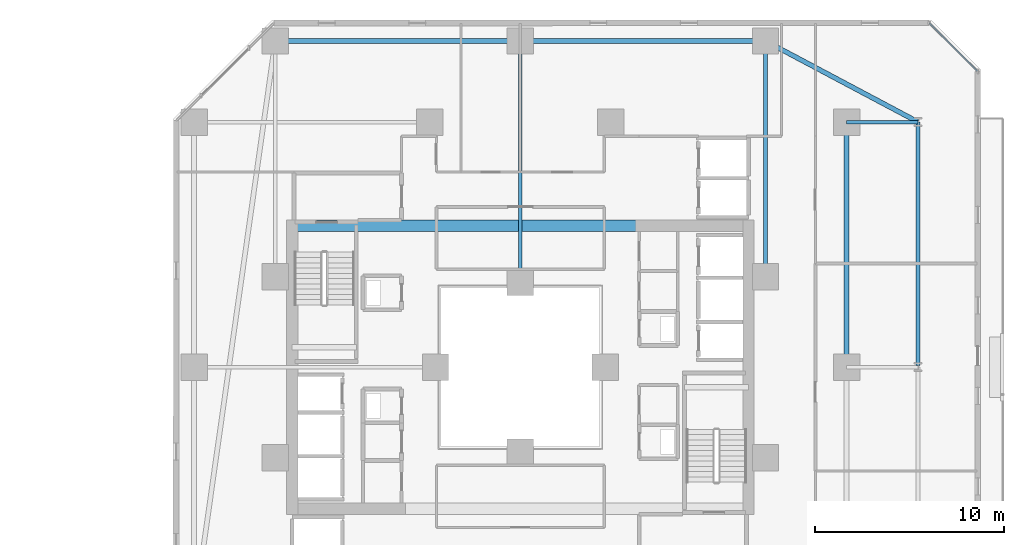
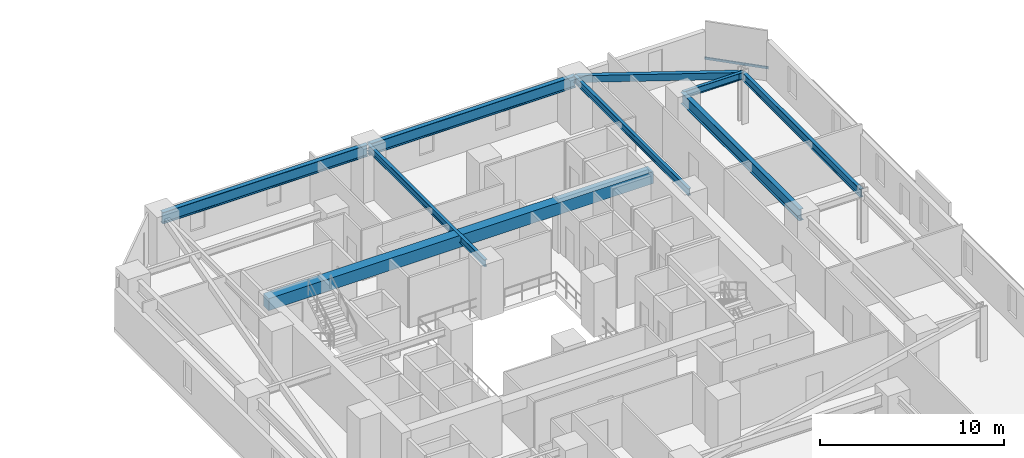
# One storey, part 15 of 33: 9 beams, 1 member, 1 element without a shape of its own.
"""IFC4 building model written with IfcOpenShell, lengths in metres."""

from ifc_helpers import new_model, si_unit, direction, frame, origin, origin_2d, place, context, subcontext, project, spatial, rectangle, hollow_rectangle, i_section, extrude, material, material_profile, profile_set, type_object, element, aggregate, save


model = new_model("IFC4")

# Units and contexts
model_context = context("Model", 3, precision=1e-05, world=origin(), true_north=direction((0.0, 1.0)))
body_context = subcontext(model_context, "Body", "Model", "MODEL_VIEW")
ifc_project = project(units=[si_unit("LENGTHUNIT", "METRE"), si_unit("AREAUNIT", "SQUARE_METRE"), si_unit("VOLUMEUNIT", "CUBIC_METRE"), si_unit("PLANEANGLEUNIT", "RADIAN"), si_unit("MASSUNIT", "GRAM", prefix="KILO")], contexts=[model_context])

# Site, building, storey
site_placement = place(None, origin())
site = spatial("IfcSite", under=ifc_project, at=site_placement, CompositionType="ELEMENT")
building_placement = place(site_placement, origin())
building = spatial("IfcBuilding", under=site, at=building_placement, Name="Thornwick Lancets Civic Towers", CompositionType="ELEMENT")
storey_placement = place(building_placement, frame((0.0, 0.0, 38.699951171875)))
storey = spatial("IfcBuildingStorey", under=building, at=storey_placement, Name="L09", CompositionType="ELEMENT", Elevation=38.699951171875)

# Beams
ifc_material_1 = material(Name="Concrete C60/75", Category="concrete")
ifc_material_profile_1 = material_profile(ifc_material_1, rectangle(XDim=0.60009765625, YDim=0.800048828125, at=origin_2d()), Name="RC 600x800")
ifc_profile_set_1 = profile_set([ifc_material_profile_1], Name="Concrete C60/75")
beam_type_1 = type_object("IfcBeamType", Name="BM_COUP_RC800", PredefinedType="BEAM", material=ifc_profile_set_1)
beam_1_placement = place(storey_placement, frame((76.39990234375, 34.5, 2.9599609375), z_axis=(1.0, 0.0, 0.0), x_axis=(0.0, 1.0, 0.0)))
element("IfcBeam", 1, at=beam_1_placement, inside=storey, type_object=beam_type_1, Name="CB-L09-B1", PredefinedType="BEAM", context=body_context, shape_type="SweptSolid", body=[
    extrude(rectangle(XDim=0.60009765625, YDim=0.800048828125, at=origin_2d()), origin(), (0.0, 0.0, 1.0), 24.2001953125),
])
ifc_material_2 = material(Name="Steel S355JR", Category="steel")
ifc_material_profile_2 = material_profile(ifc_material_2, i_section(OverallWidth=0.2119140625, OverallDepth=0.54443359375, WebThickness=0.0126953125, FlangeThickness=0.021240234375, FilletRadius=0.0126953125, at=origin_2d()), Name="UKB 533x210x122")
ifc_profile_set_2 = profile_set([ifc_material_profile_2], Name="Steel S355JR")
beam_type_2 = type_object("IfcBeamType", Name="BM_EDGE_533_122", PredefinedType="SPANDREL", material=ifc_profile_set_2)
beam_2_placement = place(storey_placement, frame((109.60009765625, 27.080078125, 3.087890625), z_axis=(0.0, 1.0, 0.0), x_axis=(-1.0, 0.0, 0.0)))
element("IfcBeam", 2, at=beam_2_placement, inside=storey, type_object=beam_type_2, Name="BM-EDGE-L09-B-S0-2", PredefinedType="SPANDREL", context=body_context, shape_type="SweptSolid", body=[
    extrude(i_section(OverallWidth=0.2119140625, OverallDepth=0.54443359375, WebThickness=0.0126953125, FlangeThickness=0.021240234375, FilletRadius=0.0126953125, at=origin_2d()), origin(), (0.0, 0.0, 1.0), 12.919921875),
])
ifc_material_profile_3 = material_profile(ifc_material_2, i_section(OverallWidth=0.26806640625, OverallDepth=0.769775390625, WebThickness=0.015625, FlangeThickness=0.025390625, FilletRadius=0.0166015625, at=origin_2d()), Name="UKB 762x267x197")
ifc_profile_set_3 = profile_set([ifc_material_profile_3], Name="Steel S355JR")
beam_type_3 = type_object("IfcBeamType", Name="BM_GIRD_762_197", PredefinedType="BEAM", material=ifc_profile_set_3)
beam_3_placement = place(storey_placement, frame((105.800048828125, 27.080078125, 2.97509765625), z_axis=(0.0, 1.0, 0.0), x_axis=(-1.0, 0.0, 0.0)))
element("IfcBeam", 3, at=beam_3_placement, inside=storey, type_object=beam_type_3, Name="BM-SPINE-L09-B-1-2", PredefinedType="BEAM", context=body_context, shape_type="SweptSolid", body=[
    extrude(i_section(OverallWidth=0.26806640625, OverallDepth=0.769775390625, WebThickness=0.015625, FlangeThickness=0.025390625, FilletRadius=0.0166015625, at=origin_2d()), origin(), (0.0, 0.0, 1.0), 12.919921875),
])
beam_4_placement = place(storey_placement, frame((101.5, 44.300048828125, 2.97509765625), z_axis=(-1.0, 0.0, 0.0), x_axis=(0.0, -1.0, 0.0)))
element("IfcBeam", 4, at=beam_4_placement, inside=storey, type_object=beam_type_3, Name="BM-SPINE-L09-B-3-4", PredefinedType="BEAM", context=body_context, shape_type="SweptSolid", body=[
    extrude(i_section(OverallWidth=0.26806640625, OverallDepth=0.769775390625, WebThickness=0.015625, FlangeThickness=0.025390625, FilletRadius=0.0166015625, at=origin_2d()), origin(), (0.0, 0.0, 1.0), 13.0),
])
beam_5_placement = place(storey_placement, frame((88.419921875, 44.300048828125, 2.97509765625), z_axis=(-1.0, 0.0, 0.0), x_axis=(0.0, -1.0, 0.0)))
element("IfcBeam", 5, at=beam_5_placement, inside=storey, type_object=beam_type_3, Name="BM-SPINE-L09-B-4-5", PredefinedType="BEAM", context=body_context, shape_type="SweptSolid", body=[
    extrude(i_section(OverallWidth=0.26806640625, OverallDepth=0.769775390625, WebThickness=0.015625, FlangeThickness=0.025390625, FilletRadius=0.0166015625, at=origin_2d()), origin(), (0.0, 0.0, 1.0), 12.919921875),
])
ifc_material_profile_4 = material_profile(ifc_material_2, i_section(OverallWidth=0.19189453125, OverallDepth=0.46337890625, WebThickness=0.010498046875, FlangeThickness=0.017578125, FilletRadius=0.01025390625, at=origin_2d()), Name="UKB 457x191x89")
ifc_profile_set_4 = profile_set([ifc_material_profile_4], Name="Steel S355JR")
beam_type_4 = type_object("IfcBeamType", Name="BM_JOIST_457_89", PredefinedType="JOIST", material=ifc_profile_set_4)
beam_6_placement = place(storey_placement, frame((105.800048828125, 40.0, 3.12841796875), z_axis=(1.0, 0.0, 0.0), x_axis=(0.0, 1.0, 0.0)))
element("IfcBeam", 6, at=beam_6_placement, inside=storey, type_object=beam_type_4, Name="BM-RAD-L09-B03", PredefinedType="JOIST", context=body_context, shape_type="SweptSolid", body=[
    extrude(i_section(OverallWidth=0.19189453125, OverallDepth=0.46337890625, WebThickness=0.010498046875, FlangeThickness=0.017578125, FilletRadius=0.01025390625, at=origin_2d()), origin(), (0.0, 0.0, 1.0), 3.800048828125),
])
beam_7_placement = place(storey_placement, frame((101.5, 31.800048828125, 3.12841796875), z_axis=(0.0, 1.0, 0.0), x_axis=(-1.0, 0.0, 0.0)))
element("IfcBeam", 7, at=beam_7_placement, inside=storey, type_object=beam_type_4, Name="BM-RADIN-L09-B04", PredefinedType="JOIST", context=body_context, shape_type="SweptSolid", body=[
    extrude(i_section(OverallWidth=0.19189453125, OverallDepth=0.46337890625, WebThickness=0.010498046875, FlangeThickness=0.017578125, FilletRadius=0.01025390625, at=origin_2d()), origin(), (0.0, 0.0, 1.0), 12.5),
])
beam_8_placement = place(storey_placement, frame((88.5, 31.5, 3.12841796875), z_axis=(0.0, 1.0, 0.0), x_axis=(-1.0, 0.0, 0.0)))
element("IfcBeam", 8, at=beam_8_placement, inside=storey, type_object=beam_type_4, Name="BM-RADIN-L09-B05", PredefinedType="JOIST", context=body_context, shape_type="SweptSolid", body=[
    extrude(i_section(OverallWidth=0.19189453125, OverallDepth=0.46337890625, WebThickness=0.010498046875, FlangeThickness=0.017578125, FilletRadius=0.01025390625, at=origin_2d()), origin(), (0.0, 0.0, 1.0), 12.800048828125),
])
ifc_material_profile_5 = material_profile(ifc_material_2, hollow_rectangle(XDim=0.25, YDim=0.449951171875, WallThickness=0.01611328125, at=origin_2d()), Name="RHS 450x250x16")
ifc_profile_set_5 = profile_set([ifc_material_profile_5], Name="Steel S355JR")
beam_type_5 = type_object("IfcBeamType", Name="BM_RING_RHS450", PredefinedType="BEAM", material=ifc_profile_set_5)
beam_9_placement = place(storey_placement, frame((109.60009765625, 40.0, 3.135009765625), z_axis=(-0.883256999818, 0.468889189758, 0.0), x_axis=(-0.468889189758, -0.883256999818, 0.0)))
element("IfcBeam", 9, at=beam_9_placement, inside=storey, type_object=beam_type_5, Name="BM-CHAMF-L09-B-C0", PredefinedType="BEAM", context=body_context, shape_type="SweptSolid", body=[
    extrude(hollow_rectangle(XDim=0.25, YDim=0.449951171875, WallThickness=0.01611328125, at=origin_2d()), origin(), (0.0, 0.0, 1.0), 9.170654296875),
])

# Curtain wall, member
ifc_material_3 = material(Name="Low-zone chamfered-corner unitised glass curtain wall", Category="glass")
curtain_wall_type = type_object("IfcCurtainWallType", Name="CW_SYS_03", PredefinedType="NOTDEFINED", material=ifc_material_3)
curtain_wall_placement = place(storey_placement, origin())
curtain_wall = element("IfcCurtainWall", 10, at=curtain_wall_placement, inside=storey, type_object=curtain_wall_type, Name="L09 Curtain Wall CW-L09-B-E3", PredefinedType="NOTDEFINED")
ifc_material_4 = material(Name="Thermally broken bronze aluminium S355", Category="steel")
ifc_material_profile_6 = material_profile(ifc_material_4, hollow_rectangle(XDim=0.074951171875, YDim=0.14990234375, WallThickness=0.0048828125, at=origin_2d()), Name="RHS 150x75x5")
ifc_profile_set_6 = profile_set([ifc_material_profile_6], Name="Thermally broken bronze aluminium S355")
member_type = type_object("IfcMemberType", Name="CW_TRN_150", PredefinedType="USERDEFINED", material=ifc_profile_set_6)
member_placement = place(storey_placement, frame((112.750732421875, 42.6953125, 0.85009765625), z_axis=(-0.707106781187, 0.707106781187, 0.0), x_axis=(-0.707106781187, -0.707106781187, 0.0)))
member = element("IfcMember", 11, at=member_placement, type_object=member_type, Name="CW-L09-B-E3 Transom 0", ObjectType="TRANSOM", PredefinedType="USERDEFINED", context=body_context, shape_type="SweptSolid", body=[
    extrude(hollow_rectangle(XDim=0.074951171875, YDim=0.14990234375, WallThickness=0.0048828125, at=origin_2d()), origin(), (0.0, 0.0, 1.0), 3.614013671875),
])
aggregate(curtain_wall, [member])

save(model, "model.ifc")
